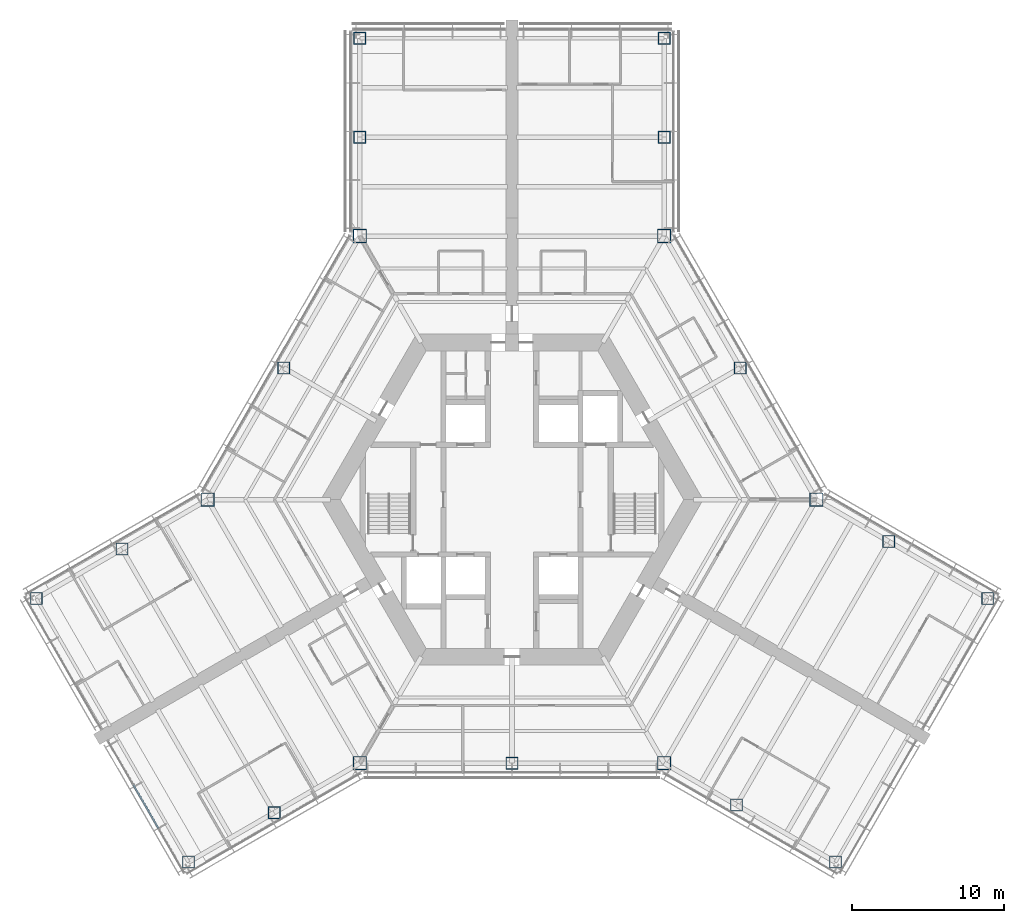
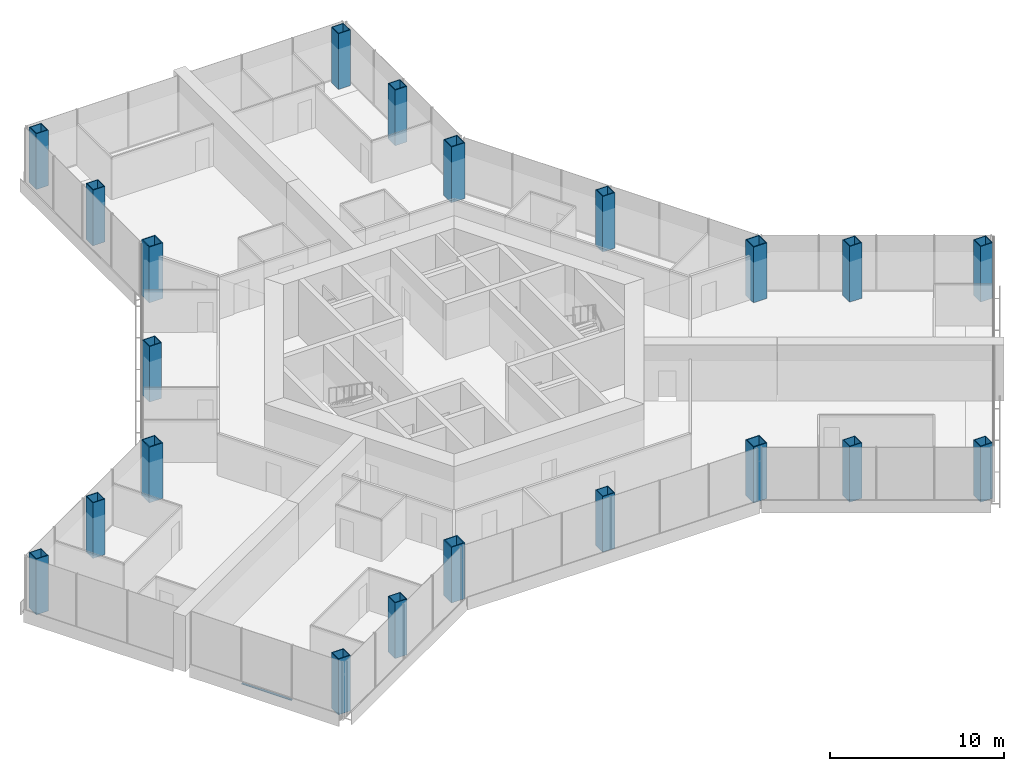
# One storey, part 1 of 18: 21 columns, 1 member, 1 element without a shape of its own.
"""IFC4 building model written with IfcOpenShell, lengths in metres."""

from ifc_helpers import new_model, si_unit, direction, frame, origin, origin_2d, place, context, subcontext, project, spatial, rectangle, hollow_rectangle, extrude, material, material_profile, profile_set, type_object, element, aggregate, save


model = new_model("IFC4")

# Units and contexts
model_context = context("Model", 3, precision=1e-05, world=origin(), true_north=direction((0.0, 1.0)))
body_context = subcontext(model_context, "Body", "Model", "MODEL_VIEW")
ifc_project = project(units=[si_unit("LENGTHUNIT", "METRE"), si_unit("AREAUNIT", "SQUARE_METRE"), si_unit("VOLUMEUNIT", "CUBIC_METRE"), si_unit("PLANEANGLEUNIT", "RADIAN"), si_unit("MASSUNIT", "GRAM", prefix="KILO")], contexts=[model_context])

# Site, building, storey
site_placement = place(None, origin())
site = spatial("IfcSite", under=ifc_project, at=site_placement, CompositionType="ELEMENT")
building_placement = place(site_placement, origin())
building = spatial("IfcBuilding", under=site, at=building_placement, Name="Kasaneha Research Tower", CompositionType="ELEMENT")
storey_placement = place(building_placement, frame((0.0, 0.0, 76.800048828125)))
storey = spatial("IfcBuildingStorey", under=building, at=storey_placement, Name="L19", CompositionType="ELEMENT", Elevation=76.800048828125)

# Columns
ifc_material_1 = material(Name="Steel SN490C", Category="steel")
ifc_material_profile_1 = material_profile(ifc_material_1, hollow_rectangle(XDim=0.89990234375, YDim=0.89990234375, WallThickness=0.054931640625, at=origin_2d()), Name="BOX-900x900x55")
ifc_profile_set_1 = profile_set([ifc_material_profile_1], Name="Steel SN490C")
column_type_1 = type_object("IfcColumnType", Name="C2A column BOX-900x900x55", PredefinedType="COLUMN", material=ifc_profile_set_1)
for number, where, z_axis, x_axis, name in (
    (1, (20.0, 0.0, 0.0), (0.0, 0.0, 1.0), (1.0, 0.0, 0.0), "Column V0 L19"),
    (2, (10.0, 17.320556640625, 0.0), (0.0, 0.0, 1.0), (1.0, 0.0, 0.0), "Column V1 L19"),
    (3, (-10.0, 17.320556640625, 0.0), (0.0, 0.0, 1.0), (1.0, 0.0, 0.0), "Column V2 L19"),
    (4, (-20.0, 0.0, 0.0), (0.0, 0.0, 1.0), (1.0, 0.0, 0.0), "Column V3 L19"),
    (5, (-10.0, -17.320556640625, 0.0), (0.0, 0.0, 1.0), (1.0, 0.0, 0.0), "Column V4 L19"),
    (6, (10.0, -17.320556640625, 0.0), (0.0, 0.0, 1.0), (1.0, 0.0, 0.0), "Column V5 L19"),
):
    element("IfcColumn", number, at=place(storey_placement, frame(where, z_axis=z_axis, x_axis=x_axis)), inside=storey, type_object=column_type_1, Name=name, PredefinedType="COLUMN", context=body_context, shape_type="SweptSolid", body=[
        extrude(hollow_rectangle(XDim=0.89990234375, YDim=0.89990234375, WallThickness=0.054931640625, at=origin_2d()), origin(), (0.0, 0.0, 1.0), 3.89990234375),
    ])
ifc_material_2 = material(Name="Steel SN490C", Category="steel")
ifc_material_profile_2 = material_profile(ifc_material_2, hollow_rectangle(XDim=0.800048828125, YDim=0.800048828125, WallThickness=0.044921875, at=origin_2d()), Name="BOX-800x800x45")
ifc_profile_set_2 = profile_set([ifc_material_profile_2], Name="Steel SN490C")
column_type_2 = type_object("IfcColumnType", Name="C2B column BOX-800x800x45", PredefinedType="COLUMN", material=ifc_profile_set_2)
for number, where, z_axis, x_axis, name in (
    (7, (15.0, 8.66015625, 0.0), (0.0, 0.0, 1.0), (1.0, 0.0, 0.0), "Column M030 L19"),
    (8, (-15.0, 8.66015625, 0.0), (0.0, 0.0, 1.0), (1.0, 0.0, 0.0), "Column M150 L19"),
    (9, (0.0, -17.320556640625, 0.0), (0.0, 0.0, 1.0), (1.0, 0.0, 0.0), "Column M270 L19"),
    (10, (10.0, 23.820556640625, 0.0), (0.0, 0.0, 1.0), (1.0, 0.0, 0.0), "Column ASP L19"),
    (11, (10.0, 30.320556640625, 0.0), (0.0, 0.0, 1.0), (1.0, 0.0, 0.0), "Column ATP L19"),
    (12, (-10.0, 23.820556640625, 0.0), (0.0, 0.0, 1.0), (1.0, 0.0, 0.0), "Column ASN L19"),
    (13, (-10.0, 30.320556640625, 0.0), (0.0, 0.0, 1.0), (1.0, 0.0, 0.0), "Column ATN L19"),
    (14, (-25.629150390625, -3.25, 0.0), (0.0, 0.0, 1.0), (1.0, 0.0, 0.0), "Column BSP L19"),
    (15, (-31.25830078125, -6.5, 0.0), (0.0, 0.0, 1.0), (1.0, 0.0, 0.0), "Column BTP L19"),
    (16, (-15.629150390625, -20.570556640625, 0.0), (0.0, 0.0, 1.0), (1.0, 0.0, 0.0), "Column BSN L19"),
    (17, (-21.25830078125, -23.820556640625, 0.0), (0.0, 0.0, 1.0), (1.0, 0.0, 0.0), "Column BTN L19"),
    (18, (14.76318359375, -20.070556640625, 0.0), (0.0, 0.0, 1.0), (1.0, 0.0, 0.0), "Column CSP L19"),
    (19, (21.25830078125, -23.820556640625, 0.0), (0.0, 0.0, 1.0), (1.0, 0.0, 0.0), "Column CTP L19"),
    (20, (24.76318359375, -2.75, 0.0), (0.0, 0.0, 1.0), (1.0, 0.0, 0.0), "Column CSN L19"),
    (21, (31.25830078125, -6.5, 0.0), (0.0, 0.0, 1.0), (1.0, 0.0, 0.0), "Column CTN L19"),
):
    element("IfcColumn", number, at=place(storey_placement, frame(where, z_axis=z_axis, x_axis=x_axis)), inside=storey, type_object=column_type_2, Name=name, PredefinedType="COLUMN", context=body_context, shape_type="SweptSolid", body=[
        extrude(hollow_rectangle(XDim=0.800048828125, YDim=0.800048828125, WallThickness=0.044921875, at=origin_2d()), origin(), (0.0, 0.0, 1.0), 3.89990234375),
    ])

# Curtain wall, member
ifc_material_3 = material(Name="Glass and aluminium", Category="aluminium")
curtain_wall_type = type_object("IfcCurtainWallType", Name="Low-rise office curtain wall", PredefinedType="USERDEFINED", material=ifc_material_3)
curtain_wall_placement = place(storey_placement, origin())
curtain_wall = element("IfcCurtainWall", 22, at=curtain_wall_placement, inside=storey, type_object=curtain_wall_type, Name="CW-O1 L19 run 15a", ObjectType="UNITISED CURTAIN WALL", PredefinedType="USERDEFINED")
ifc_material_4 = material(Name="Aluminium 6063-T6", Category="aluminium")
ifc_material_profile_3 = material_profile(ifc_material_4, rectangle(XDim=0.1201171875, YDim=0.06005859375, at=origin_2d()), Name="CW-O1 transom 120x60")
ifc_profile_set_3 = profile_set([ifc_material_profile_3], Name="Aluminium 6063-T6")
member_type = type_object("IfcMemberType", Name="CW-O1 transom", PredefinedType="USERDEFINED", material=ifc_profile_set_3)
member_placement = place(storey_placement, frame((-24.879638671875, -18.748291015625, 0.030029296875), z_axis=(0.500014325468, -0.866017132814, 0.0), x_axis=(0.866017132814, 0.500014325468, 0.0)))
member = element("IfcMember", 23, at=member_placement, type_object=member_type, Name="CW-O1 transom 2", ObjectType="TRANSOM", PredefinedType="USERDEFINED", context=body_context, shape_type="SweptSolid", body=[
    extrude(rectangle(XDim=0.1201171875, YDim=0.06005859375, at=origin_2d()), origin(), (0.0, 0.0, 1.0), 3.306640625),
])
aggregate(curtain_wall, [member])

save(model, "model.ifc")
